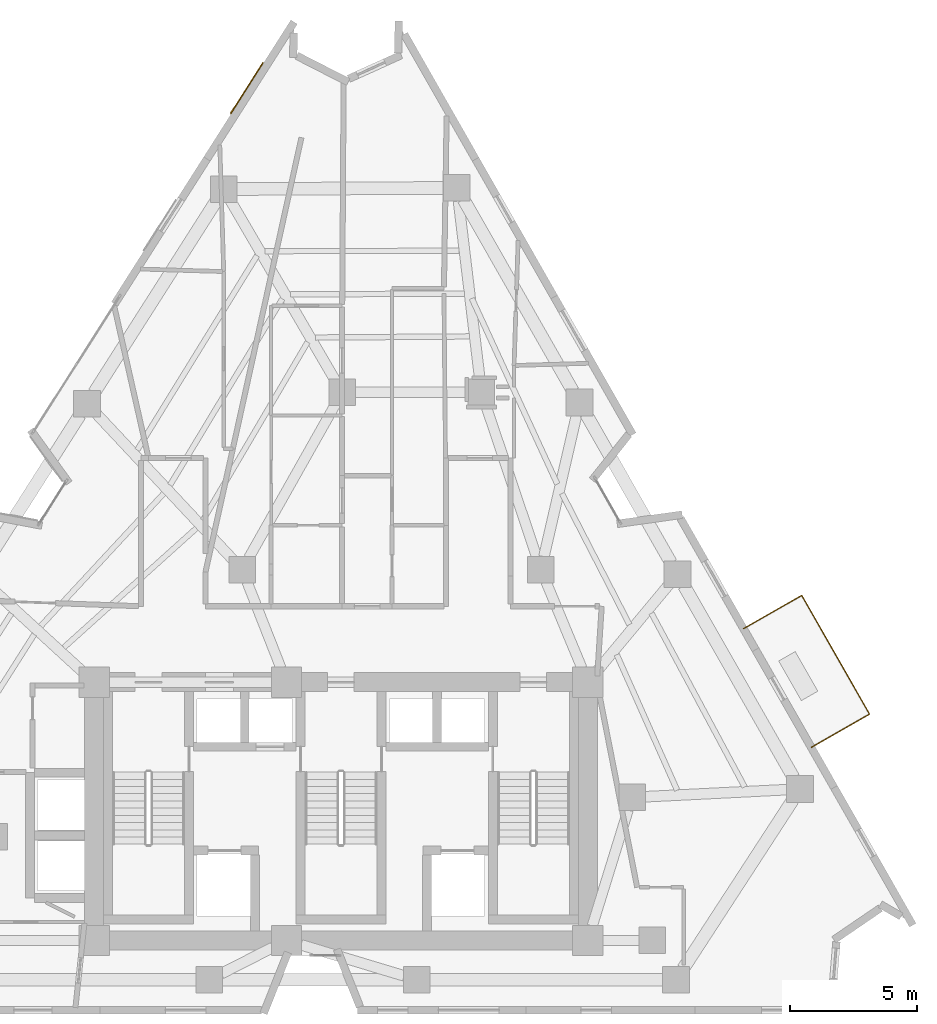
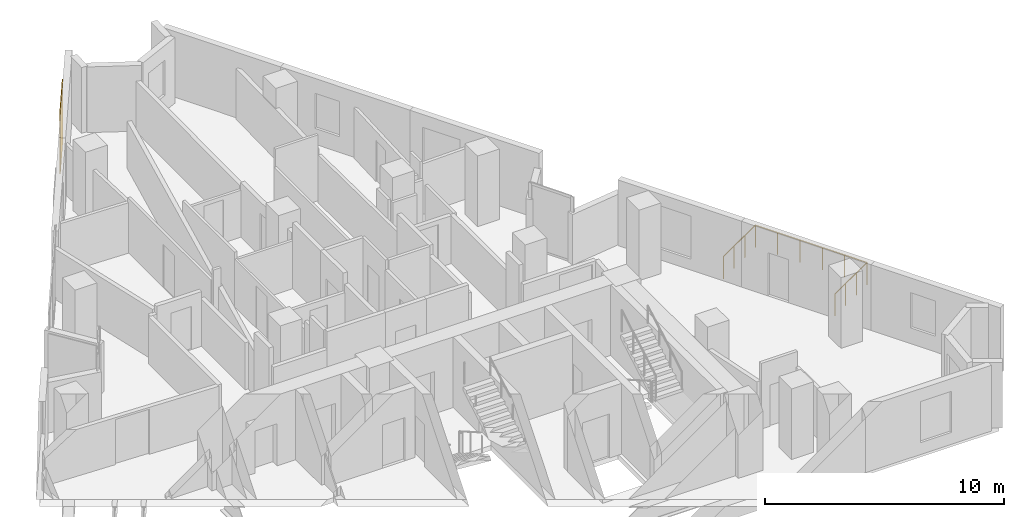
# One storey, part 11 of 11: 1 covering, 1 railing.
"""IFC4 building model written with IfcOpenShell, lengths in metres."""

from ifc_helpers import new_model, si_unit, direction, frame, origin, origin_2d, place, context, subcontext, project, spatial, rectangle, circle, extrude, material, layer, layer_set, type_object, element, save


model = new_model("IFC4")

# Units and contexts
model_context = context("Model", 3, precision=1e-05, world=origin(), true_north=direction((0.0, 1.0)))
body_context = subcontext(model_context, "Body", "Model", "MODEL_VIEW")
ifc_project = project(units=[si_unit("LENGTHUNIT", "METRE"), si_unit("AREAUNIT", "SQUARE_METRE"), si_unit("VOLUMEUNIT", "CUBIC_METRE"), si_unit("PLANEANGLEUNIT", "RADIAN"), si_unit("MASSUNIT", "GRAM", prefix="KILO")], contexts=[model_context])

# Site, building, storey
site_placement = place(None, origin())
site = spatial("IfcSite", under=ifc_project, at=site_placement, CompositionType="ELEMENT")
building_placement = place(site_placement, origin())
building = spatial("IfcBuilding", under=site, at=building_placement, Name="Almagre Mirador Tower", CompositionType="ELEMENT")
storey_placement = place(building_placement, frame((0.0, 0.0, 146.39990234375)))
storey = spatial("IfcBuildingStorey", under=building, at=storey_placement, Name="L37", CompositionType="ELEMENT", Elevation=146.39990234375)

# Covering
ifc_material_1 = material(Name="Almagre terracotta architectural cladding", Category="masonry")
ifc_layer = layer(ifc_material_1, 0.044921875)
ifc_layer_set = layer_set([ifc_layer], Name="Almagre terracotta architectural cladding")
covering_type = type_object("IfcCoveringType", Name="COV-CLAD-ALMAGRE", PredefinedType="CLADDING", material=ifc_layer_set)
covering_placement = place(storey_placement, frame((33.583740234375, 38.21484375, 0.10009765625), z_axis=(0.0, 0.0, 1.0), x_axis=(0.537108235069, 0.843513333517, 0.0)))
element("IfcCovering", 1, at=covering_placement, inside=storey, type_object=covering_type, Name="L37 almagre terracotta pier cladding", PredefinedType="CLADDING", context=body_context, shape_type="SweptSolid", body=[
    extrude(rectangle(XDim=2.39990234375, YDim=0.044921875, at=origin_2d()), origin(), (0.0, 0.0, 1.0), 3.14990234375),
])

# Railing
ifc_material_2 = material(Name="Black anodized aluminium", Category="aluminium")
railing_type = type_object("IfcRailingType", Name="RLG-BAL-1150", PredefinedType="BALUSTRADE", material=ifc_material_2)
railing_placement = place(storey_placement, frame((55.8779296875, 12.175048828125, 0.0)))
element("IfcRailing", 2, at=railing_placement, inside=storey, type_object=railing_type, Name="L37 east balcony balustrade 2", PredefinedType="BALUSTRADE", context=body_context, shape_type="SweptSolid", body=[
    extrude(circle(Radius=0.02392578125, at=origin_2d()), frame((0.0, 0.0, 1.1259765625), z_axis=(0.868481104495, 0.495722272181, 0.0), x_axis=(-0.495722272181, 0.868481104495, 0.0)), (0.0, 0.0, 1.0), 2.650634765625),
    extrude(circle(Radius=0.02392578125, at=origin_2d()), frame((2.302001953125, 1.31396484375, 1.1259765625), z_axis=(-0.495725038793, 0.868479525328, 0.0), x_axis=(-0.868479525328, -0.495725038793, 0.0)), (0.0, 0.0, 1.0), 5.400146484375),
    extrude(circle(Radius=0.02392578125, at=origin_2d()), frame((-0.375, 6.00390625, 1.1259765625), z_axis=(-0.868390522878, -0.495880933064, 0.0), x_axis=(0.495880933064, -0.868390522878, 0.0)), (0.0, 0.0, 1.0), 2.649658203125),
    extrude(circle(Radius=0.02099609375, at=origin_2d()), origin(), (0.0, 0.0, 1.0), 1.101806640625),
    extrude(circle(Radius=0.02099609375, at=origin_2d()), frame((0.767333984375, 0.43798828125, 0.0)), (0.0, 0.0, 1.0), 1.101806640625),
    extrude(circle(Radius=0.02099609375, at=origin_2d()), frame((1.53466796875, 0.8759765625, 0.0)), (0.0, 0.0, 1.0), 1.101806640625),
    extrude(circle(Radius=0.02099609375, at=origin_2d()), frame((2.302001953125, 1.31396484375, 0.0)), (0.0, 0.0, 1.0), 1.101806640625),
    extrude(circle(Radius=0.02099609375, at=origin_2d()), frame((1.7666015625, 2.251953125, 0.0)), (0.0, 0.0, 1.0), 1.101806640625),
    extrude(circle(Radius=0.02099609375, at=origin_2d()), frame((1.231201171875, 3.18994140625, 0.0)), (0.0, 0.0, 1.0), 1.101806640625),
    extrude(circle(Radius=0.02099609375, at=origin_2d()), frame((0.69580078125, 4.1279296875, 0.0)), (0.0, 0.0, 1.0), 1.101806640625),
    extrude(circle(Radius=0.02099609375, at=origin_2d()), frame((0.160400390625, 5.06591796875, 0.0)), (0.0, 0.0, 1.0), 1.101806640625),
    extrude(circle(Radius=0.02099609375, at=origin_2d()), frame((-0.375, 6.00390625, 0.0)), (0.0, 0.0, 1.0), 1.101806640625),
    extrude(circle(Radius=0.02099609375, at=origin_2d()), frame((-1.14208984375, 5.56591796875, 0.0)), (0.0, 0.0, 1.0), 1.101806640625),
    extrude(circle(Radius=0.02099609375, at=origin_2d()), frame((-1.908935546875, 5.1279296875, 0.0)), (0.0, 0.0, 1.0), 1.101806640625),
    extrude(circle(Radius=0.02099609375, at=origin_2d()), frame((-2.676025390625, 4.68994140625, 0.0)), (0.0, 0.0, 1.0), 1.101806640625),
])

save(model, "model.ifc")
